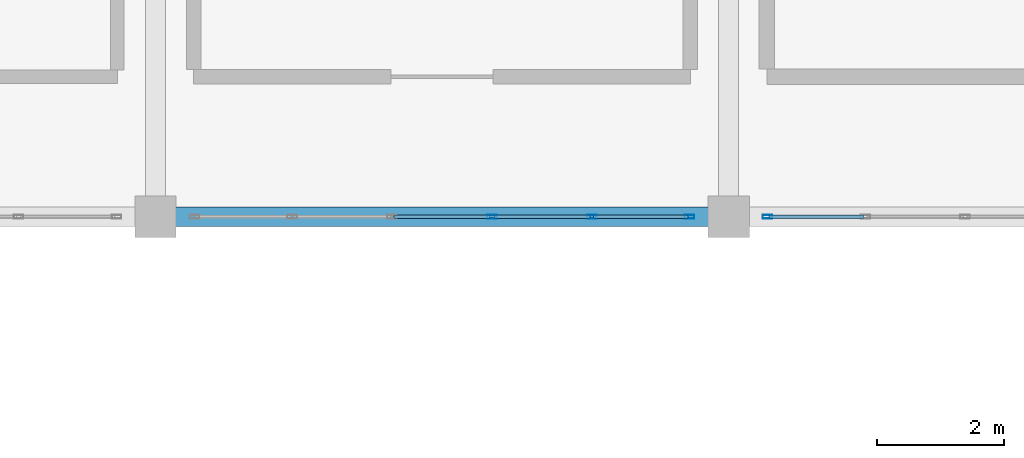
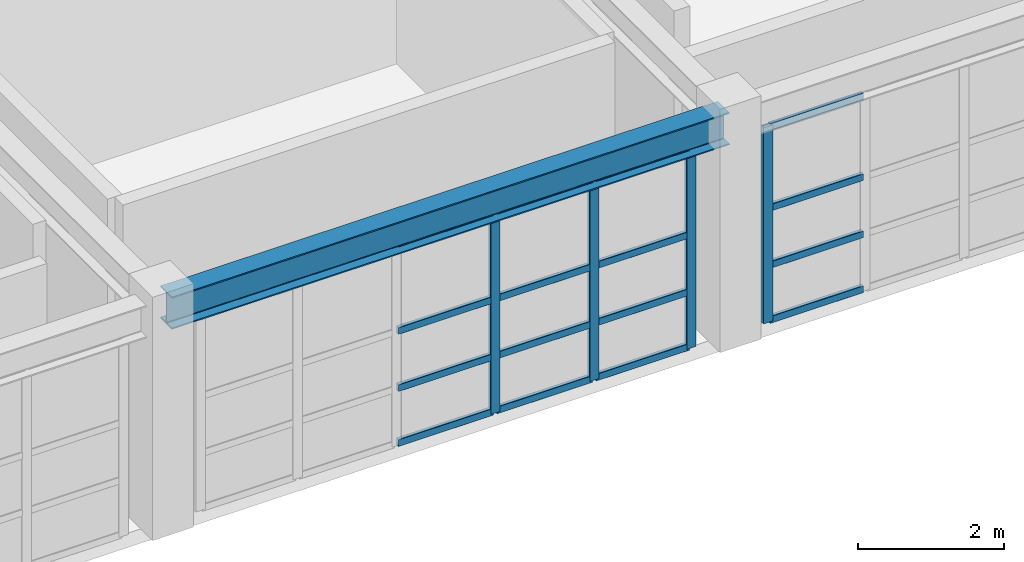
# One storey, part 65 of 110: 20 members, 1 beam, 2 elements without a shape of their own.
"""IFC4 building model written with IfcOpenShell, lengths in metres."""

import ifcopenshell
import ifcopenshell.guid

model = None  # the IFC model being written
_history = None  # IfcOwnerHistory: only IFC2X3 demands one
_inside = {}  # id of a spatial element -> (the spatial element, [elements in it])
_under = {}  # id of a project, library or spatial element -> (it, [spatial elements below it])
_declared = {}  # id of a project -> (the project, [libraries it declares])
_typed = {}  # id of a type object -> (the type object, [elements of that type])
_made_of = {}  # id of a material, layer set ... -> (it, [elements and type objects made of it])


def new_model(schema):
    """Start an empty IFC model of exactly this schema.

    Asked for "IFC4X3", IfcOpenShell would pick the latest addendum, in which some entities
    have other attributes; the version numbers below select the first issue.
    IFC2X3 requires an IfcOwnerHistory on every rooted entity: one is made here for all.
    """
    global model, _history
    if schema == "IFC4X3":
        model = ifcopenshell.file(schema_version=(4, 3, 0, 0))
    else:
        model = ifcopenshell.file(schema=schema)
    _inside.clear()
    _under.clear()
    _declared.clear()
    _typed.clear()
    _made_of.clear()
    _history = None
    if model.schema == "IFC2X3":
        org = make("IfcOrganization", Name="unknown")
        user = make(
            "IfcPersonAndOrganization",
            ThePerson=make("IfcPerson", FamilyName="unknown"),
            TheOrganization=org,
        )
        app = make(
            "IfcApplication",
            ApplicationDeveloper=org,
            Version="unknown",
            ApplicationFullName="unknown",
            ApplicationIdentifier="unknown",
        )
        _history = make(
            "IfcOwnerHistory",
            OwningUser=user,
            OwningApplication=app,
            ChangeAction="ADDED",
            CreationDate=0,
        )
    return model


def make(cls, **values):
    """One entity of the class cls with the attributes given. An attribute that is None is left unset."""
    return model.create_entity(
        cls, **{name: value for name, value in values.items() if value is not None}
    )


def rooted(cls, **values):
    """An entity with a GlobalId (a new one), such as an element, a storey or a relation."""
    return make(cls, GlobalId=ifcopenshell.guid.new(), OwnerHistory=_history, **values)


def si_unit(unit_type, name, prefix=None):
    """IfcSIUnit, for example si_unit("LENGTHUNIT", "METRE", prefix="MILLI")."""
    return make("IfcSIUnit", UnitType=unit_type, Prefix=prefix, Name=name)


def assignment(units):
    """IfcUnitAssignment: the units of a project."""
    return None if units is None else make("IfcUnitAssignment", Units=units)


def point(xyz):
    """IfcCartesianPoint."""
    return None if xyz is None else make("IfcCartesianPoint", Coordinates=xyz)


def direction(xyz):
    """IfcDirection."""
    return None if xyz is None else make("IfcDirection", DirectionRatios=xyz)


def frame(location, z_axis=None, x_axis=None):
    """IfcAxis2Placement3D, a coordinate frame: its origin and axes. An axis left out is left unset."""
    return make(
        "IfcAxis2Placement3D",
        Location=point(location),
        Axis=direction(z_axis),
        RefDirection=direction(x_axis),
    )


def frame_2d(location, x_axis=None):
    """IfcAxis2Placement2D, a coordinate frame in the plane: its origin and x axis."""
    return make(
        "IfcAxis2Placement2D", Location=point(location), RefDirection=direction(x_axis)
    )


def origin():
    """The frame at (0, 0, 0) with its axes left unset."""
    return frame((0.0, 0.0, 0.0))


def origin_2d():
    """The frame at (0, 0) in the plane with its x axis left unset."""
    return frame_2d((0.0, 0.0))


def place(relative_to, where):
    """IfcLocalPlacement: puts the frame where relative to a parent placement (None: the world)."""
    return make(
        "IfcLocalPlacement", PlacementRelTo=relative_to, RelativePlacement=where
    )


def context(
    kind, dimensions, precision=None, world=None, true_north=None, identifier=None
):
    """IfcGeometricRepresentationContext, for example the 3D "Model" context."""
    return make(
        "IfcGeometricRepresentationContext",
        ContextIdentifier=identifier,
        ContextType=kind,
        CoordinateSpaceDimension=dimensions,
        Precision=precision,
        WorldCoordinateSystem=world,
        TrueNorth=true_north,
    )


def subcontext(parent, identifier, kind, view, scale=None):
    """IfcGeometricRepresentationSubContext, for example "Body" below "Model"."""
    return make(
        "IfcGeometricRepresentationSubContext",
        ContextIdentifier=identifier,
        ContextType=kind,
        ParentContext=parent,
        TargetScale=scale,
        TargetView=view,
    )


def project(units=None, contexts=None):
    """IfcProject with its units and contexts."""
    return rooted(
        "IfcProject",
        Name="project",
        RepresentationContexts=contexts,
        UnitsInContext=assignment(units),
    )


def spatial(cls, under=None, at=None, **own):
    """A site, building, storey or space (cls), placed at a placement, below another one or the project."""
    s = rooted(cls, ObjectPlacement=at, **own)
    if under is not None:
        _under.setdefault(under.id(), (under, []))[1].append(s)
    return s


def profile(cls, at=None, kind="AREA", **sizes):
    """A parametric profile (cls). Its sizes go by their IFC names, for example OverallWidth=200.0."""
    return make(cls, ProfileType=kind, Position=at, **sizes)


def hollow_rectangle(**sizes):
    """IfcRectangleHollowProfileDef."""
    return profile("IfcRectangleHollowProfileDef", **sizes)


def i_section(**sizes):
    """IfcIShapeProfileDef."""
    return profile("IfcIShapeProfileDef", **sizes)


def extrude(swept, where, along, depth):
    """IfcExtrudedAreaSolid: the profile swept, set in the frame where, extruded along a direction by depth."""
    return make(
        "IfcExtrudedAreaSolid",
        SweptArea=swept,
        Position=where,
        ExtrudedDirection=direction(along),
        Depth=depth,
    )


def shape(context_of_items, identifier, shape_type, items):
    """IfcShapeRepresentation: the items that make up one representation, for example the "Body"."""
    return make(
        "IfcShapeRepresentation",
        ContextOfItems=context_of_items,
        RepresentationIdentifier=identifier,
        RepresentationType=shape_type,
        Items=items,
    )


def material(Name=None, Category=None):
    """IfcMaterial."""
    return make("IfcMaterial", Name=Name, Category=Category)


def material_profile(
    of_material, cross_section, Name=None, Category=None, Priority=None
):
    """IfcMaterialProfile: a cross section and its material."""
    return make(
        "IfcMaterialProfile",
        Name=Name,
        Material=of_material,
        Profile=cross_section,
        Priority=Priority,
        Category=Category,
    )


def profile_set(profiles, Name=None, composite=None):
    """IfcMaterialProfileSet."""
    return make(
        "IfcMaterialProfileSet",
        Name=Name,
        MaterialProfiles=profiles,
        CompositeProfile=composite,
    )


def made_of(thing, what):
    """Note that an element or type object is made of a material, layer set ...; save() writes the relation."""
    if what is not None:
        _made_of.setdefault(what.id(), (what, []))[1].append(thing)
    return thing


def type_object(cls, material=None, **own):
    """A type object (cls), such as IfcWallType, which elements share."""
    return made_of(rooted(cls, **own), material)


def element(
    cls,
    number,
    at=None,
    inside=None,
    cuts=None,
    type_object=None,
    material=None,
    context=None,
    identifier="Body",
    shape_type=None,
    held_by="IfcProductDefinitionShape",
    body=None,
    shapes=None,
    **own,
):
    """One element of the class cls, such as IfcWall. Its Tag is "e" and its number.

    at: its placement. inside: the storey or other place that contains it. cuts: it is an
    opening in that element (IfcRelVoidsElement). A single representation is given by context,
    identifier, shape_type and body (its items); several are given by shapes. held_by: the class
    of the entity that holds the representations. save() writes the other relations.
    """
    e = rooted(cls, Tag="e%d" % number, ObjectPlacement=at, **own)
    if body is not None:
        shapes = [shape(context, identifier, shape_type, body)]
    if shapes is not None:
        e.Representation = make(held_by, Representations=shapes)
    if inside is not None:
        _inside.setdefault(inside.id(), (inside, []))[1].append(e)
    if cuts is not None:
        rooted(
            "IfcRelVoidsElement", RelatingBuildingElement=cuts, RelatedOpeningElement=e
        )
    if type_object is not None:
        _typed.setdefault(type_object.id(), (type_object, []))[1].append(e)
    return made_of(e, material)


def aggregate(whole, parts):
    """IfcRelAggregates: a whole, such as a stair, and the parts it consists of."""
    return rooted("IfcRelAggregates", RelatingObject=whole, RelatedObjects=parts)


def save(model, path):
    """Write the relations noted so far, then the file.

    IfcRelAggregates (storeys below a building ...), IfcRelContainedInSpatialStructure (elements
    in a storey), IfcRelDefinesByType, IfcRelAssociatesMaterial and IfcRelDeclares: one each for
    every whole, place, type object, material and project.
    """
    for whole, parts in _under.values():
        aggregate(whole, parts)
    for where, things in _inside.values():
        rooted(
            "IfcRelContainedInSpatialStructure",
            RelatedElements=things,
            RelatingStructure=where,
        )
    for kind, things in _typed.values():
        rooted("IfcRelDefinesByType", RelatedObjects=things, RelatingType=kind)
    for what, things in _made_of.values():
        rooted("IfcRelAssociatesMaterial", RelatedObjects=things, RelatingMaterial=what)
    for by, libraries in _declared.values():
        rooted("IfcRelDeclares", RelatingContext=by, RelatedDefinitions=libraries)
    model.write(path)


model = new_model("IFC4")

# Units and contexts
model_context = context("Model", 3, precision=1e-05, world=origin(), true_north=direction((0.0, 1.0)))
body_context = subcontext(model_context, "Body", "Model", "MODEL_VIEW")
ifc_project = project(units=[si_unit("LENGTHUNIT", "METRE"), si_unit("AREAUNIT", "SQUARE_METRE"), si_unit("VOLUMEUNIT", "CUBIC_METRE"), si_unit("PLANEANGLEUNIT", "RADIAN"), si_unit("MASSUNIT", "GRAM", prefix="KILO")], contexts=[model_context])

# Site, building, storey
site_placement = place(None, origin())
site = spatial("IfcSite", under=ifc_project, at=site_placement, CompositionType="ELEMENT")
building_placement = place(site_placement, origin())
building = spatial("IfcBuilding", under=site, at=building_placement, Name="Miravela Opera House", CompositionType="ELEMENT")
storey_placement = place(building_placement, frame((0.0, 0.0, 13.60009765625)))
storey = spatial("IfcBuildingStorey", under=building, at=storey_placement, Name="L03", CompositionType="ELEMENT", Elevation=13.60009765625)

# Curtain wall, members
ifc_material_1 = material(Name="Anodised architectural bronze aluminium 6063-T6", Category="aluminium")
curtain_wall_type = type_object("IfcCurtainWallType", Name="ARC-CW-05", PredefinedType="NOTDEFINED", material=ifc_material_1)
curtain_wall_1_placement = place(storey_placement, origin())
curtain_wall_1 = element("IfcCurtainWall", 1, at=curtain_wall_1_placement, inside=storey, type_object=curtain_wall_type, Name="Courtyard Arcade Curtain Wall CW-L03-104", PredefinedType="NOTDEFINED")
ifc_material_profile_1 = material_profile(ifc_material_1, hollow_rectangle(XDim=0.06005859375, YDim=0.14990234375, WallThickness=0.00390625, InnerFilletRadius=0.001953125, OuterFilletRadius=0.00390625, at=origin_2d()), Name="CWM-60X150")
ifc_profile_set_1 = profile_set([ifc_material_profile_1])
member_type_1 = type_object("IfcMemberType", Name="ARC-CWM-150", PredefinedType="MULLION", material=ifc_profile_set_1)
member_1_placement = place(storey_placement, frame((41.283935546875, 103.0, 0.0), z_axis=(0.0, 0.0, 1.0), x_axis=(0.0, 1.0, 0.0)))
member_1 = element("IfcMember", 2, at=member_1_placement, type_object=member_type_1, Name="CW-05 mullion 4", PredefinedType="MULLION", context=body_context, shape_type="SweptSolid", body=[
    extrude(hollow_rectangle(XDim=0.06005859375, YDim=0.14990234375, WallThickness=0.00390625, InnerFilletRadius=0.001953125, OuterFilletRadius=0.00390625, at=origin_2d()), origin(), (0.0, 0.0, 1.0), 3.289794921875),
])
member_2_placement = place(storey_placement, frame((42.85205078125, 103.0, 0.0), z_axis=(0.0, 0.0, 1.0), x_axis=(0.0, 1.0, 0.0)))
member_2 = element("IfcMember", 3, at=member_2_placement, type_object=member_type_1, Name="CW-05 mullion 5", PredefinedType="MULLION", context=body_context, shape_type="SweptSolid", body=[
    extrude(hollow_rectangle(XDim=0.06005859375, YDim=0.14990234375, WallThickness=0.00390625, InnerFilletRadius=0.001953125, OuterFilletRadius=0.00390625, at=origin_2d()), origin(), (0.0, 0.0, 1.0), 3.289794921875),
])
member_3_placement = place(storey_placement, frame((44.389892578125, 103.0, 0.0), z_axis=(0.0, 0.0, 1.0), x_axis=(0.0, 1.0, 0.0)))
member_3 = element("IfcMember", 4, at=member_3_placement, type_object=member_type_1, Name="CW-05 mullion 6", PredefinedType="MULLION", context=body_context, shape_type="SweptSolid", body=[
    extrude(hollow_rectangle(XDim=0.06005859375, YDim=0.14990234375, WallThickness=0.00390625, InnerFilletRadius=0.001953125, OuterFilletRadius=0.00390625, at=origin_2d()), origin(), (0.0, 0.0, 1.0), 3.289794921875),
])

# Curtain wall, member
curtain_wall_2_placement = place(storey_placement, origin())
curtain_wall_2 = element("IfcCurtainWall", 5, at=curtain_wall_2_placement, inside=storey, type_object=curtain_wall_type, Name="Courtyard Arcade Curtain Wall CW-L03-106", PredefinedType="NOTDEFINED")
member_4_placement = place(storey_placement, frame((45.610107421875, 103.0, 0.0), z_axis=(0.0, 0.0, 1.0), x_axis=(0.0, 1.0, 0.0)))
member_4 = element("IfcMember", 6, at=member_4_placement, type_object=member_type_1, Name="CW-05 mullion 1", PredefinedType="MULLION", context=body_context, shape_type="SweptSolid", body=[
    extrude(hollow_rectangle(XDim=0.06005859375, YDim=0.14990234375, WallThickness=0.00390625, InnerFilletRadius=0.001953125, OuterFilletRadius=0.00390625, at=origin_2d()), origin(), (0.0, 0.0, 1.0), 3.289794921875),
])

# Member
ifc_material_profile_2 = material_profile(ifc_material_1, hollow_rectangle(XDim=0.06005859375, YDim=0.114990234375, WallThickness=0.00390625, InnerFilletRadius=0.001953125, OuterFilletRadius=0.00390625, at=origin_2d()), Name="CWT-60X115")
ifc_profile_set_2 = profile_set([ifc_material_profile_2])
member_type_2 = type_object("IfcMemberType", Name="ARC-CWT-115", PredefinedType="USERDEFINED", material=ifc_profile_set_2)
member_5_placement = place(storey_placement, frame((39.74609375, 103.0, 0.02978515625), z_axis=(1.0, 0.0, 0.0), x_axis=(0.0, 1.0, 0.0)))
member_5 = element("IfcMember", 7, at=member_5_placement, type_object=member_type_2, Name="CW-05 transom 3.1", ObjectType="TRANSOM", PredefinedType="USERDEFINED", context=body_context, shape_type="SweptSolid", body=[
    extrude(hollow_rectangle(XDim=0.06005859375, YDim=0.114990234375, WallThickness=0.00390625, InnerFilletRadius=0.001953125, OuterFilletRadius=0.00390625, at=origin_2d()), origin(), (0.0, 0.0, 1.0), 1.5078125),
])

member_6_placement = place(storey_placement, frame((39.74609375, 103.0, 0.949951171875), z_axis=(1.0, 0.0, 0.0), x_axis=(0.0, 1.0, 0.0)))
member_6 = element("IfcMember", 8, at=member_6_placement, type_object=member_type_2, Name="CW-05 transom 3.2", ObjectType="TRANSOM", PredefinedType="USERDEFINED", context=body_context, shape_type="SweptSolid", body=[
    extrude(hollow_rectangle(XDim=0.06005859375, YDim=0.114990234375, WallThickness=0.00390625, InnerFilletRadius=0.001953125, OuterFilletRadius=0.00390625, at=origin_2d()), origin(), (0.0, 0.0, 1.0), 1.5078125),
])

member_7_placement = place(storey_placement, frame((39.74609375, 103.0, 1.908203125), z_axis=(1.0, 0.0, 0.0), x_axis=(0.0, 1.0, 0.0)))
member_7 = element("IfcMember", 9, at=member_7_placement, type_object=member_type_2, Name="CW-05 transom 3.3", ObjectType="TRANSOM", PredefinedType="USERDEFINED", context=body_context, shape_type="SweptSolid", body=[
    extrude(hollow_rectangle(XDim=0.06005859375, YDim=0.114990234375, WallThickness=0.00390625, InnerFilletRadius=0.001953125, OuterFilletRadius=0.00390625, at=origin_2d()), origin(), (0.0, 0.0, 1.0), 1.5078125),
])

member_8_placement = place(storey_placement, frame((39.74609375, 103.0, 3.260009765625), z_axis=(1.0, 0.0, 0.0), x_axis=(0.0, 1.0, 0.0)))
member_8 = element("IfcMember", 10, at=member_8_placement, type_object=member_type_2, Name="CW-05 transom 3.4", ObjectType="TRANSOM", PredefinedType="USERDEFINED", context=body_context, shape_type="SweptSolid", body=[
    extrude(hollow_rectangle(XDim=0.06005859375, YDim=0.114990234375, WallThickness=0.00390625, InnerFilletRadius=0.001953125, OuterFilletRadius=0.00390625, at=origin_2d()), origin(), (0.0, 0.0, 1.0), 1.5078125),
])

member_9_placement = place(storey_placement, frame((41.31396484375, 103.0, 0.02978515625), z_axis=(1.0, 0.0, 0.0), x_axis=(0.0, 1.0, 0.0)))
member_9 = element("IfcMember", 11, at=member_9_placement, type_object=member_type_2, Name="CW-05 transom 4.1", ObjectType="TRANSOM", PredefinedType="USERDEFINED", context=body_context, shape_type="SweptSolid", body=[
    extrude(hollow_rectangle(XDim=0.06005859375, YDim=0.114990234375, WallThickness=0.00390625, InnerFilletRadius=0.001953125, OuterFilletRadius=0.00390625, at=origin_2d()), origin(), (0.0, 0.0, 1.0), 1.508056640625),
])

member_10_placement = place(storey_placement, frame((41.31396484375, 103.0, 0.949951171875), z_axis=(1.0, 0.0, 0.0), x_axis=(0.0, 1.0, 0.0)))
member_10 = element("IfcMember", 12, at=member_10_placement, type_object=member_type_2, Name="CW-05 transom 4.2", ObjectType="TRANSOM", PredefinedType="USERDEFINED", context=body_context, shape_type="SweptSolid", body=[
    extrude(hollow_rectangle(XDim=0.06005859375, YDim=0.114990234375, WallThickness=0.00390625, InnerFilletRadius=0.001953125, OuterFilletRadius=0.00390625, at=origin_2d()), origin(), (0.0, 0.0, 1.0), 1.508056640625),
])

member_11_placement = place(storey_placement, frame((41.31396484375, 103.0, 1.908203125), z_axis=(1.0, 0.0, 0.0), x_axis=(0.0, 1.0, 0.0)))
member_11 = element("IfcMember", 13, at=member_11_placement, type_object=member_type_2, Name="CW-05 transom 4.3", ObjectType="TRANSOM", PredefinedType="USERDEFINED", context=body_context, shape_type="SweptSolid", body=[
    extrude(hollow_rectangle(XDim=0.06005859375, YDim=0.114990234375, WallThickness=0.00390625, InnerFilletRadius=0.001953125, OuterFilletRadius=0.00390625, at=origin_2d()), origin(), (0.0, 0.0, 1.0), 1.508056640625),
])

member_12_placement = place(storey_placement, frame((41.31396484375, 103.0, 3.260009765625), z_axis=(1.0, 0.0, 0.0), x_axis=(0.0, 1.0, 0.0)))
member_12 = element("IfcMember", 14, at=member_12_placement, type_object=member_type_2, Name="CW-05 transom 4.4", ObjectType="TRANSOM", PredefinedType="USERDEFINED", context=body_context, shape_type="SweptSolid", body=[
    extrude(hollow_rectangle(XDim=0.06005859375, YDim=0.114990234375, WallThickness=0.00390625, InnerFilletRadius=0.001953125, OuterFilletRadius=0.00390625, at=origin_2d()), origin(), (0.0, 0.0, 1.0), 1.508056640625),
])

member_13_placement = place(storey_placement, frame((42.882080078125, 103.0, 0.02978515625), z_axis=(1.0, 0.0, 0.0), x_axis=(0.0, 1.0, 0.0)))
member_13 = element("IfcMember", 15, at=member_13_placement, type_object=member_type_2, Name="CW-05 transom 5.1", ObjectType="TRANSOM", PredefinedType="USERDEFINED", context=body_context, shape_type="SweptSolid", body=[
    extrude(hollow_rectangle(XDim=0.06005859375, YDim=0.114990234375, WallThickness=0.00390625, InnerFilletRadius=0.001953125, OuterFilletRadius=0.00390625, at=origin_2d()), origin(), (0.0, 0.0, 1.0), 1.47802734375),
])

member_14_placement = place(storey_placement, frame((42.882080078125, 103.0, 0.949951171875), z_axis=(1.0, 0.0, 0.0), x_axis=(0.0, 1.0, 0.0)))
member_14 = element("IfcMember", 16, at=member_14_placement, type_object=member_type_2, Name="CW-05 transom 5.2", ObjectType="TRANSOM", PredefinedType="USERDEFINED", context=body_context, shape_type="SweptSolid", body=[
    extrude(hollow_rectangle(XDim=0.06005859375, YDim=0.114990234375, WallThickness=0.00390625, InnerFilletRadius=0.001953125, OuterFilletRadius=0.00390625, at=origin_2d()), origin(), (0.0, 0.0, 1.0), 1.47802734375),
])

member_15_placement = place(storey_placement, frame((42.882080078125, 103.0, 1.908203125), z_axis=(1.0, 0.0, 0.0), x_axis=(0.0, 1.0, 0.0)))
member_15 = element("IfcMember", 17, at=member_15_placement, type_object=member_type_2, Name="CW-05 transom 5.3", ObjectType="TRANSOM", PredefinedType="USERDEFINED", context=body_context, shape_type="SweptSolid", body=[
    extrude(hollow_rectangle(XDim=0.06005859375, YDim=0.114990234375, WallThickness=0.00390625, InnerFilletRadius=0.001953125, OuterFilletRadius=0.00390625, at=origin_2d()), origin(), (0.0, 0.0, 1.0), 1.47802734375),
])

member_16_placement = place(storey_placement, frame((42.882080078125, 103.0, 3.260009765625), z_axis=(1.0, 0.0, 0.0), x_axis=(0.0, 1.0, 0.0)))
member_16 = element("IfcMember", 18, at=member_16_placement, type_object=member_type_2, Name="CW-05 transom 5.4", ObjectType="TRANSOM", PredefinedType="USERDEFINED", context=body_context, shape_type="SweptSolid", body=[
    extrude(hollow_rectangle(XDim=0.06005859375, YDim=0.114990234375, WallThickness=0.00390625, InnerFilletRadius=0.001953125, OuterFilletRadius=0.00390625, at=origin_2d()), origin(), (0.0, 0.0, 1.0), 1.47802734375),
])

aggregate(curtain_wall_1, [member_1, member_2, member_3, member_5, member_6, member_7, member_8, member_9, member_10, member_11, member_12, member_13, member_14, member_15, member_16])

member_17_placement = place(storey_placement, frame((45.639892578125, 103.0, 0.02978515625), z_axis=(1.0, 0.0, 0.0), x_axis=(0.0, 1.0, 0.0)))
member_17 = element("IfcMember", 19, at=member_17_placement, type_object=member_type_2, Name="CW-05 transom 1.1", ObjectType="TRANSOM", PredefinedType="USERDEFINED", context=body_context, shape_type="SweptSolid", body=[
    extrude(hollow_rectangle(XDim=0.06005859375, YDim=0.114990234375, WallThickness=0.00390625, InnerFilletRadius=0.001953125, OuterFilletRadius=0.00390625, at=origin_2d()), origin(), (0.0, 0.0, 1.0), 1.47802734375),
])

member_18_placement = place(storey_placement, frame((45.639892578125, 103.0, 0.949951171875), z_axis=(1.0, 0.0, 0.0), x_axis=(0.0, 1.0, 0.0)))
member_18 = element("IfcMember", 20, at=member_18_placement, type_object=member_type_2, Name="CW-05 transom 1.2", ObjectType="TRANSOM", PredefinedType="USERDEFINED", context=body_context, shape_type="SweptSolid", body=[
    extrude(hollow_rectangle(XDim=0.06005859375, YDim=0.114990234375, WallThickness=0.00390625, InnerFilletRadius=0.001953125, OuterFilletRadius=0.00390625, at=origin_2d()), origin(), (0.0, 0.0, 1.0), 1.47802734375),
])

member_19_placement = place(storey_placement, frame((45.639892578125, 103.0, 1.908203125), z_axis=(1.0, 0.0, 0.0), x_axis=(0.0, 1.0, 0.0)))
member_19 = element("IfcMember", 21, at=member_19_placement, type_object=member_type_2, Name="CW-05 transom 1.3", ObjectType="TRANSOM", PredefinedType="USERDEFINED", context=body_context, shape_type="SweptSolid", body=[
    extrude(hollow_rectangle(XDim=0.06005859375, YDim=0.114990234375, WallThickness=0.00390625, InnerFilletRadius=0.001953125, OuterFilletRadius=0.00390625, at=origin_2d()), origin(), (0.0, 0.0, 1.0), 1.47802734375),
])

member_20_placement = place(storey_placement, frame((45.639892578125, 103.0, 3.260009765625), z_axis=(1.0, 0.0, 0.0), x_axis=(0.0, 1.0, 0.0)))
member_20 = element("IfcMember", 22, at=member_20_placement, type_object=member_type_2, Name="CW-05 transom 1.4", ObjectType="TRANSOM", PredefinedType="USERDEFINED", context=body_context, shape_type="SweptSolid", body=[
    extrude(hollow_rectangle(XDim=0.06005859375, YDim=0.114990234375, WallThickness=0.00390625, InnerFilletRadius=0.001953125, OuterFilletRadius=0.00390625, at=origin_2d()), origin(), (0.0, 0.0, 1.0), 1.47802734375),
])

aggregate(curtain_wall_2, [member_4, member_17, member_18, member_19, member_20])

# Beam
ifc_material_2 = material(Name="Structural steel ASTM A992 Gr. 50", Category="steel")
ifc_material_profile_3 = material_profile(ifc_material_2, i_section(OverallWidth=0.31201171875, OverallDepth=0.54296875, WebThickness=0.0126953125, FlangeThickness=0.020263671875, FilletRadius=0.01611328125, at=origin_2d()), Name="W530X150")
ifc_profile_set_3 = profile_set([ifc_material_profile_3])
beam_type = type_object("IfcBeamType", Name="STR-BM-W530X150", PredefinedType="BEAM", material=ifc_profile_set_3)
beam_placement = place(storey_placement, frame((36.080078125, 103.0, 3.568359375), z_axis=(1.0, 0.0, 0.0), x_axis=(0.0, 1.0, 0.0)))
element("IfcBeam", 23, at=beam_placement, inside=storey, type_object=beam_type, Name="Roof Eave Girder ROOF-V3-WEST-N S3", PredefinedType="BEAM", context=body_context, shape_type="SweptSolid", body=[
    extrude(i_section(OverallWidth=0.31201171875, OverallDepth=0.54296875, WebThickness=0.0126953125, FlangeThickness=0.020263671875, FilletRadius=0.01611328125, at=origin_2d()), origin(), (0.0, 0.0, 1.0), 8.83984375),
])

save(model, "model.ifc")
